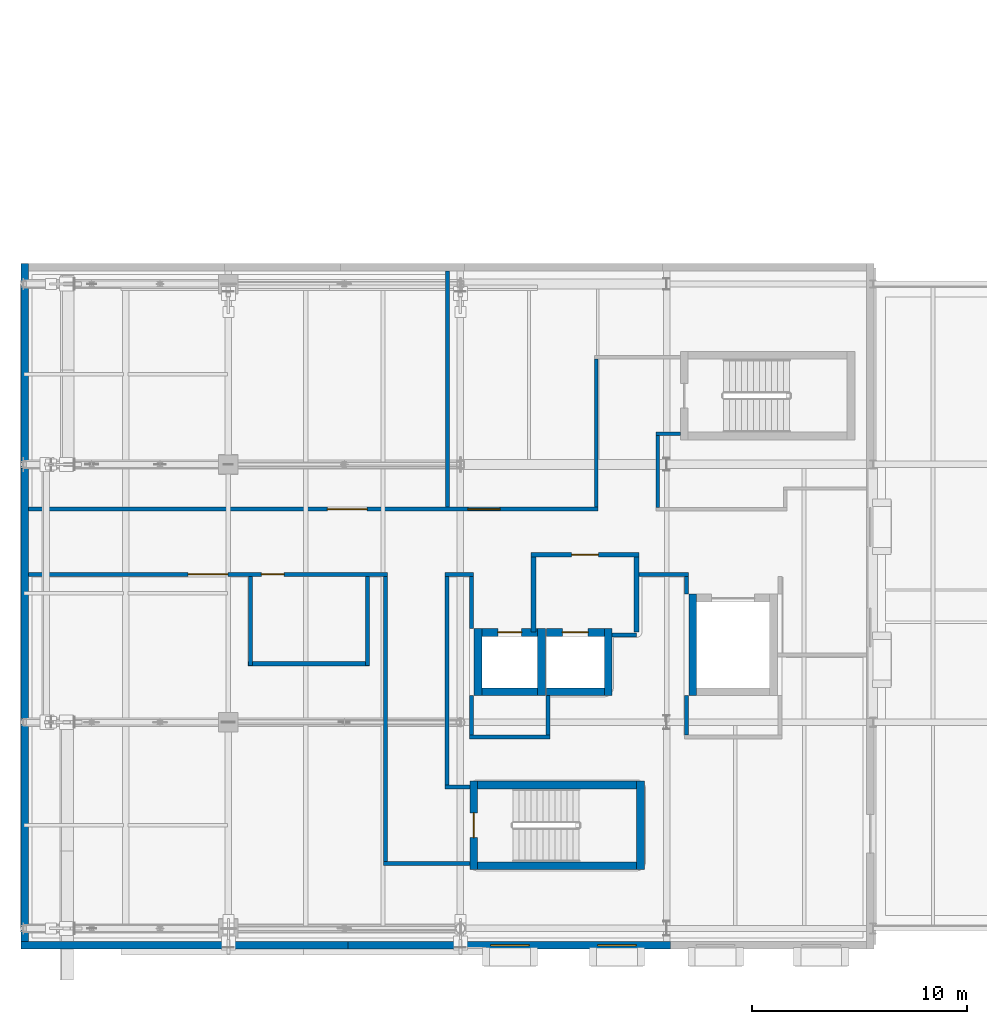
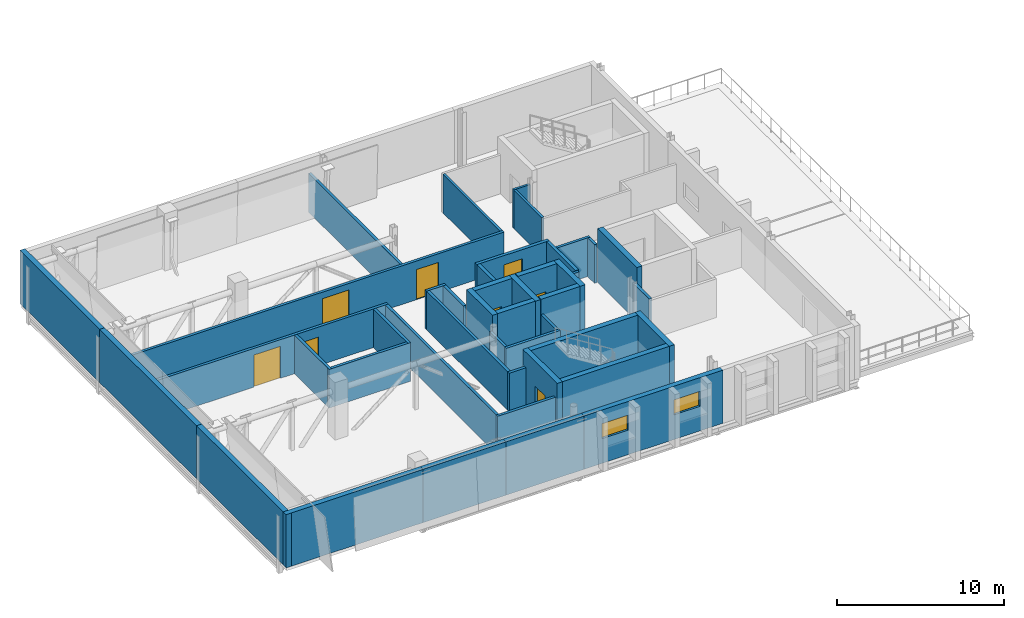
# One storey, part 78 of 89: 44 walls, 8 doors, 2 windows, 10 openings.
"""IFC4 building model written with IfcOpenShell, lengths in metres."""

from ifc_helpers import new_model, si_unit, direction, frame, frame_2d, origin, place, context, subcontext, project, spatial, rectangle, extrude, material, layer, layer_set, type_object, element, fill, save


model = new_model("IFC4")

# Units and contexts
model_context = context("Model", 3, precision=1e-05, world=origin(), true_north=direction((0.0, 1.0)))
body_context = subcontext(model_context, "Body", "Model", "MODEL_VIEW")
ifc_project = project(units=[si_unit("LENGTHUNIT", "METRE"), si_unit("AREAUNIT", "SQUARE_METRE"), si_unit("VOLUMEUNIT", "CUBIC_METRE"), si_unit("PLANEANGLEUNIT", "RADIAN"), si_unit("MASSUNIT", "GRAM", prefix="KILO")], contexts=[model_context])

# Site, building, storey
site_placement = place(None, origin())
site = spatial("IfcSite", under=ifc_project, at=site_placement, CompositionType="ELEMENT")
building_placement = place(site_placement, origin())
building = spatial("IfcBuilding", under=site, at=building_placement, Name="Zereglee Splitstone Museum", CompositionType="ELEMENT")
storey_placement = place(building_placement, frame((0.0, 0.0, 21.300048828125)))
storey = spatial("IfcBuildingStorey", under=building, at=storey_placement, Name="L04", CompositionType="ELEMENT", Elevation=21.300048828125)

# Wall, opening, door
ifc_material_1 = material(Name="Concrete C45/55", Category="concrete")
ifc_layer_1 = layer(ifc_material_1, 0.360107421875)
ifc_layer_set_1 = layer_set([ifc_layer_1], Name="Concrete C45/55")
wall_type_1 = type_object("IfcWallType", Name="CSW-02", PredefinedType="SHEAR", material=ifc_layer_set_1)
wall_1_placement = place(storey_placement, frame((21.02001953125, 2.739990234375, 0.0), z_axis=(0.0, 0.0, 1.0), x_axis=(0.0, 1.0, 0.0)))
wall_1 = element("IfcWall", 1, at=wall_1_placement, inside=storey, type_object=wall_type_1, Name="Stair Core Shear Wall ST-01 L04 West", PredefinedType="SHEAR", context=body_context, shape_type="SweptSolid", body=[
    extrude(rectangle(XDim=4.1201171875, YDim=0.360107421875, at=frame_2d((2.06005859375, 0.0))), origin(), (0.0, 0.0, 1.0), 3.949951171875),
])
opening_1_placement = place(wall_1_placement, frame((1.485107421875, 0.0, 0.0)))
opening_1 = element("IfcOpeningElement", 2, at=opening_1_placement, cuts=wall_1, Name="Opening ID-03", PredefinedType="OPENING", context=body_context, shape_type="SweptSolid", body=[
    extrude(rectangle(XDim=1.14990234375, YDim=2.14990234375, at=frame_2d((0.574951171875, 1.074951171875))), frame((0.0, 0.19482421875, 0.0), z_axis=(0.0, -1.0, 0.0), x_axis=(1.0, 0.0, 0.0)), (0.0, 0.0, 1.0), 0.389892578125),
])
ifc_material_2 = material(Name="Fire-rated steel and Siberian larch leaf", Category="steel")
door_type_1 = type_object("IfcDoorType", Name="ID-03", OperationType="NOTDEFINED", PredefinedType="DOOR", material=ifc_material_2)
door_1_placement = place(opening_1_placement, origin())
door_1 = element("IfcDoor", 3, at=door_1_placement, inside=storey, type_object=door_type_1, Name="Protected Stair Fire Door ST-01 L04", OperationType="SINGLE_SWING_RIGHT", OverallHeight=2.14990234375, OverallWidth=1.14990234375, PredefinedType="DOOR", context=body_context, shape_type="SweptSolid", body=[
    extrude(rectangle(XDim=1.14990234375, YDim=2.14990234375, at=frame_2d((0.574951171875, 1.074951171875))), frame((0.0, 0.02490234375, 0.0), z_axis=(0.0, -1.0, 0.0), x_axis=(1.0, 0.0, 0.0)), (0.0, 0.0, 1.0), 0.050048828125),
])
fill(opening_1, door_1)

# Walls
wall_2_placement = place(storey_placement, frame((28.780029296875, 2.739990234375, 0.0), z_axis=(0.0, 0.0, 1.0), x_axis=(0.0, 1.0, 0.0)))
element("IfcWall", 4, at=wall_2_placement, inside=storey, type_object=wall_type_1, Name="Stair Core Shear Wall ST-01 L04 East", PredefinedType="SHEAR", context=body_context, shape_type="SweptSolid", body=[
    extrude(rectangle(XDim=4.1201171875, YDim=0.360107421875, at=frame_2d((2.06005859375, 0.0))), origin(), (0.0, 0.0, 1.0), 3.949951171875),
])
for number, where, z_axis, x_axis, name in (
    (5, (21.199951171875, 6.679931640625, 0.0), (0.0, 0.0, 1.0), (1.0, 0.0, 0.0), "Stair Core Shear Wall ST-01 L04 North"),
    (6, (21.199951171875, 2.919921875, 0.0), (0.0, 0.0, 1.0), (1.0, 0.0, 0.0), "Stair Core Shear Wall ST-01 L04 South"),
):
    element("IfcWall", number, at=place(storey_placement, frame(where, z_axis=z_axis, x_axis=x_axis)), inside=storey, type_object=wall_type_1, Name=name, PredefinedType="SHEAR", context=body_context, shape_type="SweptSolid", body=[
        extrude(rectangle(XDim=7.400146484375, YDim=0.360107421875, at=frame_2d((3.7001953125, 0.0))), origin(), (0.0, 0.0, 1.0), 3.949951171875),
    ])

# Wall, opening, door
wall_3_placement = place(storey_placement, frame((21.39990234375, 13.780029296875, 0.0), z_axis=(0.0, 0.0, 1.0), x_axis=(1.0, 0.0, 0.0)))
wall_3 = element("IfcWall", 7, at=wall_3_placement, inside=storey, type_object=wall_type_1, Name="Lift Shaft Wall PL-01 L04 North", PredefinedType="SHEAR", context=body_context, shape_type="SweptSolid", body=[
    extrude(rectangle(XDim=2.60009765625, YDim=0.360107421875, at=frame_2d((1.300048828125, 0.0))), origin(), (0.0, 0.0, 1.0), 3.949951171875),
])
opening_2_placement = place(wall_3_placement, frame((0.75, 0.0, 0.0)))
opening_2 = element("IfcOpeningElement", 8, at=opening_2_placement, cuts=wall_3, Name="Opening LD-01", PredefinedType="OPENING", context=body_context, shape_type="SweptSolid", body=[
    extrude(rectangle(XDim=1.10009765625, YDim=2.14990234375, at=frame_2d((0.550048828125, 1.074951171875))), frame((0.0, 0.19482421875, 0.0), z_axis=(0.0, -1.0, 0.0), x_axis=(1.0, 0.0, 0.0)), (0.0, 0.0, 1.0), 0.389892578125),
])
door_type_2 = type_object("IfcDoorType", Name="LD-01", OperationType="DOUBLE_DOOR_SLIDING", PredefinedType="DOOR", material=ifc_material_2)
door_2_placement = place(opening_2_placement, origin())
door_2 = element("IfcDoor", 9, at=door_2_placement, inside=storey, type_object=door_type_2, Name="Lift Landing Sliding Door PL-01 L04", OperationType="DOUBLE_DOOR_SLIDING", OverallHeight=2.14990234375, OverallWidth=1.10009765625, PredefinedType="DOOR", context=body_context, shape_type="SweptSolid", body=[
    extrude(rectangle(XDim=1.10009765625, YDim=2.14990234375, at=frame_2d((0.550048828125, 1.074951171875))), frame((0.0, 0.02490234375, 0.0), z_axis=(0.0, -1.0, 0.0), x_axis=(1.0, 0.0, 0.0)), (0.0, 0.0, 1.0), 0.050048828125),
])
fill(opening_2, door_2)

# Walls
wall_4_placement = place(storey_placement, frame((21.39990234375, 11.02001953125, 0.0), z_axis=(0.0, 0.0, 1.0), x_axis=(1.0, 0.0, 0.0)))
element("IfcWall", 10, at=wall_4_placement, inside=storey, type_object=wall_type_1, Name="Lift Shaft Wall PL-01 L04 South", PredefinedType="SHEAR", context=body_context, shape_type="SweptSolid", body=[
    extrude(rectangle(XDim=2.60009765625, YDim=0.360107421875, at=frame_2d((1.300048828125, 0.0))), origin(), (0.0, 0.0, 1.0), 3.949951171875),
])
for number, where, z_axis, x_axis, name in (
    (11, (21.219970703125, 10.840087890625, 0.0), (0.0, 0.0, 1.0), (0.0, 1.0, 0.0), "Lift Shaft Wall PL-01 L04 West"),
    (12, (24.179931640625, 10.840087890625, 0.0), (0.0, 0.0, 1.0), (0.0, 1.0, 0.0), "Lift Shaft Wall PL-01 L04 East"),
):
    element("IfcWall", number, at=place(storey_placement, frame(where, z_axis=z_axis, x_axis=x_axis)), inside=storey, type_object=wall_type_1, Name=name, PredefinedType="SHEAR", context=body_context, shape_type="SweptSolid", body=[
        extrude(rectangle(XDim=3.119873046875, YDim=0.360107421875, at=frame_2d((1.56005859375, 0.0))), origin(), (0.0, 0.0, 1.0), 3.949951171875),
    ])

# Wall, opening, door
wall_5_placement = place(storey_placement, frame((24.39990234375, 13.780029296875, 0.0), z_axis=(0.0, 0.0, 1.0), x_axis=(1.0, 0.0, 0.0)))
wall_5 = element("IfcWall", 13, at=wall_5_placement, inside=storey, type_object=wall_type_1, Name="Lift Shaft Wall FL-01 L04 North", PredefinedType="SHEAR", context=body_context, shape_type="SweptSolid", body=[
    extrude(rectangle(XDim=2.7001953125, YDim=0.360107421875, at=frame_2d((1.35009765625, 0.0))), origin(), (0.0, 0.0, 1.0), 3.949951171875),
])
opening_3_placement = place(wall_5_placement, frame((0.75, 0.0, 0.0)))
opening_3 = element("IfcOpeningElement", 14, at=opening_3_placement, cuts=wall_5, Name="Opening LD-02", PredefinedType="OPENING", context=body_context, shape_type="SweptSolid", body=[
    extrude(rectangle(XDim=1.199951171875, YDim=2.14990234375, at=frame_2d((0.60009765625, 1.074951171875))), frame((0.0, 0.19482421875, 0.0), z_axis=(0.0, -1.0, 0.0), x_axis=(1.0, 0.0, 0.0)), (0.0, 0.0, 1.0), 0.389892578125),
])
door_type_3 = type_object("IfcDoorType", Name="LD-02", OperationType="DOUBLE_DOOR_SLIDING", PredefinedType="DOOR", material=ifc_material_2)
door_3_placement = place(opening_3_placement, origin())
door_3 = element("IfcDoor", 15, at=door_3_placement, inside=storey, type_object=door_type_3, Name="Lift Landing Sliding Door FL-01 L04", OperationType="DOUBLE_DOOR_SLIDING", OverallHeight=2.14990234375, OverallWidth=1.199951171875, PredefinedType="DOOR", context=body_context, shape_type="SweptSolid", body=[
    extrude(rectangle(XDim=1.199951171875, YDim=2.14990234375, at=frame_2d((0.60009765625, 1.074951171875))), frame((0.0, 0.02490234375, 0.0), z_axis=(0.0, -1.0, 0.0), x_axis=(1.0, 0.0, 0.0)), (0.0, 0.0, 1.0), 0.050048828125),
])
fill(opening_3, door_3)

# Walls
wall_6_placement = place(storey_placement, frame((24.39990234375, 11.02001953125, 0.0), z_axis=(0.0, 0.0, 1.0), x_axis=(1.0, 0.0, 0.0)))
element("IfcWall", 16, at=wall_6_placement, inside=storey, type_object=wall_type_1, Name="Lift Shaft Wall FL-01 L04 South", PredefinedType="SHEAR", context=body_context, shape_type="SweptSolid", body=[
    extrude(rectangle(XDim=2.7001953125, YDim=0.360107421875, at=frame_2d((1.35009765625, 0.0))), origin(), (0.0, 0.0, 1.0), 3.949951171875),
])
wall_7_placement = place(storey_placement, frame((27.280029296875, 10.840087890625, 0.0), z_axis=(0.0, 0.0, 1.0), x_axis=(0.0, 1.0, 0.0)))
element("IfcWall", 17, at=wall_7_placement, inside=storey, type_object=wall_type_1, Name="Lift Shaft Wall FL-01 L04 East", PredefinedType="SHEAR", context=body_context, shape_type="SweptSolid", body=[
    extrude(rectangle(XDim=3.119873046875, YDim=0.360107421875, at=frame_2d((1.56005859375, 0.0))), origin(), (0.0, 0.0, 1.0), 3.949951171875),
])
wall_8_placement = place(storey_placement, frame((31.219970703125, 10.840087890625, 0.0), z_axis=(0.0, 0.0, 1.0), x_axis=(0.0, 1.0, 0.0)))
element("IfcWall", 18, at=wall_8_placement, inside=storey, type_object=wall_type_1, Name="Lift Shaft Wall GL-02 L04 West", PredefinedType="SHEAR", context=body_context, shape_type="SweptSolid", body=[
    extrude(rectangle(XDim=4.719970703125, YDim=0.360107421875, at=frame_2d((2.35986328125, 0.0))), origin(), (0.0, 0.0, 1.0), 3.949951171875),
])
ifc_material_3 = material(Name="Precast concrete C40/50", Category="concrete")
ifc_layer_2 = layer(ifc_material_3, 0.35009765625)
ifc_layer_set_2 = layer_set([ifc_layer_2], Name="Precast concrete C40/50")
wall_type_2 = type_object("IfcWallType", Name="EW-01", PredefinedType="STANDARD", material=ifc_layer_set_2)
wall_9_placement = place(storey_placement, frame((-0.06005859375, -0.780029296875, 0.0), z_axis=(0.0, 0.0, 1.0), x_axis=(1.0, 0.0, 0.0)))
element("IfcWall", 19, at=wall_9_placement, inside=storey, type_object=wall_type_2, Name="Exterior Backup Wall RC4-EW-L04-0206", PredefinedType="STANDARD", context=body_context, shape_type="SweptSolid", body=[
    extrude(rectangle(XDim=9.840087890625, YDim=0.35009765625, at=frame_2d((4.919921875, 0.0))), origin(), (0.0, 0.0, 1.0), 3.89990234375),
])
for number, where, z_axis, x_axis, name in (
    (20, (9.419921875, -0.780029296875, 0.0), (0.0, 0.0, 1.0), (1.0, 0.0, 0.0), "Exterior Backup Wall RC4-EW-L04-0207"),
    (21, (14.820068359375, -0.780029296875, 0.0), (0.0, 0.0, 1.0), (1.0, 0.0, 0.0), "Exterior Backup Wall RC4-EW-L04-0208"),
):
    element("IfcWall", number, at=place(storey_placement, frame(where, z_axis=z_axis, x_axis=x_axis)), inside=storey, type_object=wall_type_2, Name=name, PredefinedType="STANDARD", context=body_context, shape_type="SweptSolid", body=[
        extrude(rectangle(XDim=5.760009765625, YDim=0.35009765625, at=frame_2d((2.8798828125, 0.0))), origin(), (0.0, 0.0, 1.0), 3.89990234375),
    ])

# Wall, openings, windows
wall_10_placement = place(storey_placement, frame((20.219970703125, -0.780029296875, 0.0), z_axis=(0.0, 0.0, 1.0), x_axis=(1.0, 0.0, 0.0)))
wall_10 = element("IfcWall", 22, at=wall_10_placement, inside=storey, type_object=wall_type_2, Name="Exterior Backup Wall RC4-EW-L04-0209", PredefinedType="STANDARD", context=body_context, shape_type="SweptSolid", body=[
    extrude(rectangle(XDim=9.9599609375, YDim=0.35009765625, at=frame_2d((4.97998046875, 0.0))), origin(), (0.0, 0.0, 1.0), 3.89990234375),
])
opening_4_placement = place(wall_10_placement, frame((1.590087890625, 0.0, 1.800048828125)))
opening_4 = element("IfcOpeningElement", 23, at=opening_4_placement, cuts=wall_10, Name="Opening EW-W12", PredefinedType="OPENING", context=body_context, shape_type="SweptSolid", body=[
    extrude(rectangle(XDim=1.800048828125, YDim=1.10009765625, at=frame_2d((0.89990234375, 0.550048828125))), frame((0.0, 0.18994140625, 0.0), z_axis=(0.0, -1.0, 0.0), x_axis=(1.0, 0.0, 0.0)), (0.0, 0.0, 1.0), 0.3798828125),
])
opening_5_placement = place(wall_10_placement, frame((6.570068359375, 0.0, 1.800048828125)))
opening_5 = element("IfcOpeningElement", 24, at=opening_5_placement, cuts=wall_10, Name="Opening EW-W12", PredefinedType="OPENING", context=body_context, shape_type="SweptSolid", body=[
    extrude(rectangle(XDim=1.800048828125, YDim=1.10009765625, at=frame_2d((0.89990234375, 0.550048828125))), frame((0.0, 0.18994140625, 0.0), z_axis=(0.0, -1.0, 0.0), x_axis=(1.0, 0.0, 0.0)), (0.0, 0.0, 1.0), 0.3798828125),
])
ifc_material_4 = material(Name="Thermally broken aluminium frame with triple low-e glazing", Category="aluminium")
window_type = type_object("IfcWindowType", Name="EW-W12", PartitioningType="DOUBLE_PANEL_HORIZONTAL", PredefinedType="WINDOW", material=ifc_material_4)
window_1_placement = place(opening_4_placement, origin())
window_1 = element("IfcWindow", 25, at=window_1_placement, inside=storey, type_object=window_type, Name="Mughal Deep-Reveal Gallery Window L04-0136", OverallHeight=1.10009765625, OverallWidth=1.800048828125, PartitioningType="SINGLE_PANEL", PredefinedType="WINDOW", context=body_context, shape_type="SweptSolid", body=[
    extrude(rectangle(XDim=1.800048828125, YDim=1.10009765625, at=frame_2d((0.89990234375, 0.550048828125))), frame((0.0, 0.030029296875, 0.0), z_axis=(0.0, -1.0, 0.0), x_axis=(1.0, 0.0, 0.0)), (0.0, 0.0, 1.0), 0.06005859375),
])
fill(opening_4, window_1)
window_2_placement = place(opening_5_placement, origin())
window_2 = element("IfcWindow", 26, at=window_2_placement, inside=storey, type_object=window_type, Name="Mughal Deep-Reveal Gallery Window L04-0137", OverallHeight=1.10009765625, OverallWidth=1.800048828125, PartitioningType="SINGLE_PANEL", PredefinedType="WINDOW", context=body_context, shape_type="SweptSolid", body=[
    extrude(rectangle(XDim=1.800048828125, YDim=1.10009765625, at=frame_2d((0.89990234375, 0.550048828125))), frame((0.0, 0.030029296875, 0.0), z_axis=(0.0, -1.0, 0.0), x_axis=(1.0, 0.0, 0.0)), (0.0, 0.0, 1.0), 0.06005859375),
])
fill(opening_5, window_2)

# Walls
wall_11_placement = place(storey_placement, frame((0.1201171875, 30.9599609375, 0.0), z_axis=(0.0, 0.0, 1.0), x_axis=(0.0, -1.0, 0.0)))
element("IfcWall", 27, at=wall_11_placement, inside=storey, type_object=wall_type_2, Name="Exterior Backup Wall RC4-EW-L04-0219", PredefinedType="STANDARD", context=body_context, shape_type="SweptSolid", body=[
    extrude(rectangle(XDim=9.5400390625, YDim=0.35009765625, at=frame_2d((4.77001953125, 0.0))), origin(), (0.0, 0.0, 1.0), 3.89990234375),
])
wall_12_placement = place(storey_placement, frame((0.1201171875, 21.780029296875, 0.0), z_axis=(0.0, 0.0, 1.0), x_axis=(0.0, -1.0, 0.0)))
element("IfcWall", 28, at=wall_12_placement, inside=storey, type_object=wall_type_2, Name="Exterior Backup Wall RC4-EW-L04-0220", PredefinedType="STANDARD", context=body_context, shape_type="SweptSolid", body=[
    extrude(rectangle(XDim=12.360107421875, YDim=0.35009765625, at=frame_2d((6.18017578125, 0.0))), origin(), (0.0, 0.0, 1.0), 3.89990234375),
])
wall_13_placement = place(storey_placement, frame((0.1201171875, 9.780029296875, 0.0), z_axis=(0.0, 0.0, 1.0), x_axis=(0.0, -1.0, 0.0)))
element("IfcWall", 29, at=wall_13_placement, inside=storey, type_object=wall_type_2, Name="Exterior Backup Wall RC4-EW-L04-0221", PredefinedType="STANDARD", context=body_context, shape_type="SweptSolid", body=[
    extrude(rectangle(XDim=10.739990234375, YDim=0.35009765625, at=frame_2d((5.3701171875, 0.0))), origin(), (0.0, 0.0, 1.0), 3.89990234375),
])
ifc_material_5 = material(Name="Fire-rated gypsum board partition", Category="masonry")
ifc_layer_3 = layer(ifc_material_5, 0.159912109375)
ifc_layer_set_3 = layer_set([ifc_layer_3], Name="Fire-rated gypsum board partition")
wall_type_3 = type_object("IfcWallType", Name="IW-04", PredefinedType="PARTITIONING", material=ifc_layer_set_3)
wall_14_placement = place(storey_placement, frame((29.5, 23.02001953125, 0.0), z_axis=(0.0, 0.0, 1.0), x_axis=(1.0, 0.0, 0.0)))
element("IfcWall", 30, at=wall_14_placement, inside=storey, type_object=wall_type_3, Name="Interior Partition L04-0650 (Conservation Photography Studio)", PredefinedType="PARTITIONING", context=body_context, shape_type="SweptSolid", body=[
    extrude(rectangle(XDim=1.139892578125, YDim=0.159912109375, at=frame_2d((0.56982421875, 0.0))), origin(), (0.0, 0.0, 1.0), 2.829833984375),
])
wall_15_placement = place(storey_placement, frame((26.719970703125, 19.614990234375, 0.0), z_axis=(0.0, 0.0, 1.0), x_axis=(0.0, 1.0, 0.0)))
element("IfcWall", 31, at=wall_15_placement, inside=storey, type_object=wall_type_3, Name="Interior Partition L04-0665 (Conservation Photography Studio)", PredefinedType="PARTITIONING", context=body_context, shape_type="SweptSolid", body=[
    extrude(rectangle(XDim=6.885009765625, YDim=0.159912109375, at=frame_2d((3.4423828125, 0.0))), origin(), (0.0, 0.0, 1.0), 2.829833984375),
])
wall_16_placement = place(storey_placement, frame((29.580078125, 19.60009765625, 0.0), z_axis=(0.0, 0.0, 1.0), x_axis=(0.0, 1.0, 0.0)))
element("IfcWall", 32, at=wall_16_placement, inside=storey, type_object=wall_type_3, Name="Interior Partition L04-0666 (Conservation Photography Studio)", PredefinedType="PARTITIONING", context=body_context, shape_type="SweptSolid", body=[
    extrude(rectangle(XDim=3.33984375, YDim=0.159912109375, at=frame_2d((1.669921875, 0.0))), origin(), (0.0, 0.0, 1.0), 2.829833984375),
])

# Wall, opening, door
ifc_material_6 = material(Name="Concrete C35/45", Category="concrete")
ifc_layer_4 = layer(ifc_material_6, 0.219970703125)
ifc_layer_set_4 = layer_set([ifc_layer_4], Name="Concrete C35/45")
wall_type_4 = type_object("IfcWallType", Name="IW-01", PredefinedType="PARTITIONING", material=ifc_layer_set_4)
wall_17_placement = place(storey_placement, frame((23.68994140625, 17.39990234375, 0.0), z_axis=(0.0, 0.0, 1.0), x_axis=(1.0, 0.0, 0.0)))
wall_17 = element("IfcWall", 33, at=wall_17_placement, inside=storey, type_object=wall_type_4, Name="Firefighting Lobby Wall L04 North", PredefinedType="PARTITIONING", context=body_context, shape_type="SweptSolid", body=[
    extrude(rectangle(XDim=5.02001953125, YDim=0.219970703125, at=frame_2d((2.510009765625, 0.0))), origin(), (0.0, 0.0, 1.0), 2.829833984375),
])
opening_6_placement = place(wall_17_placement, frame((1.885009765625, 0.0, 0.0)))
opening_6 = element("IfcOpeningElement", 34, at=opening_6_placement, cuts=wall_17, Name="Opening ID-04", PredefinedType="OPENING", context=body_context, shape_type="SweptSolid", body=[
    extrude(rectangle(XDim=1.25, YDim=2.14990234375, at=frame_2d((0.625, 1.074951171875))), frame((0.0, 0.125, 0.0), z_axis=(0.0, -1.0, 0.0), x_axis=(1.0, 0.0, 0.0)), (0.0, 0.0, 1.0), 0.249755859375),
])
door_type_4 = type_object("IfcDoorType", Name="ID-04", OperationType="NOTDEFINED", PredefinedType="DOOR", material=ifc_material_2)
door_4_placement = place(opening_6_placement, origin())
door_4 = element("IfcDoor", 35, at=door_4_placement, inside=storey, type_object=door_type_4, Name="Firefighting Lobby Fire Door L04", OperationType="SINGLE_SWING_LEFT", OverallHeight=2.14990234375, OverallWidth=1.25, PredefinedType="DOOR", context=body_context, shape_type="SweptSolid", body=[
    extrude(rectangle(XDim=1.25, YDim=2.14990234375, at=frame_2d((0.625, 1.074951171875))), frame((0.0, 0.02490234375, 0.0), z_axis=(0.0, -1.0, 0.0), x_axis=(1.0, 0.0, 0.0)), (0.0, 0.0, 1.0), 0.050048828125),
])
fill(opening_6, door_4)

# Walls
for number, where, z_axis, x_axis, name in (
    (36, (23.800048828125, 13.800048828125, 0.0), (0.0, 0.0, 1.0), (0.0, 1.0, 0.0), "Firefighting Lobby Wall L04 West"),
    (37, (28.60009765625, 13.800048828125, 0.0), (0.0, 0.0, 1.0), (0.0, 1.0, 0.0), "Firefighting Lobby Wall L04 East"),
):
    element("IfcWall", number, at=place(storey_placement, frame(where, z_axis=z_axis, x_axis=x_axis)), inside=storey, type_object=wall_type_4, Name=name, PredefinedType="PARTITIONING", context=body_context, shape_type="SweptSolid", body=[
        extrude(rectangle(XDim=3.489990234375, YDim=0.219970703125, at=frame_2d((1.7451171875, 0.0))), origin(), (0.0, 0.0, 1.0), 2.829833984375),
    ])
ifc_material_7 = material(Name="Gypsum board on acoustic steel stud", Category="steel")
ifc_layer_5 = layer(ifc_material_7, 0.18994140625)
ifc_layer_set_5 = layer_set([ifc_layer_5], Name="Gypsum board on acoustic steel stud")
wall_type_5 = type_object("IfcWallType", Name="IW-02", PredefinedType="PARTITIONING", material=ifc_layer_set_5)
wall_18_placement = place(storey_placement, frame((16.824951171875, 3.02001953125, 0.0), z_axis=(0.0, 0.0, 1.0), x_axis=(1.0, 0.0, 0.0)))
element("IfcWall", 38, at=wall_18_placement, inside=storey, type_object=wall_type_5, Name="Interior Partition L04-0629 (Silk Road Textile Exhibition Gallery)", PredefinedType="PARTITIONING", context=body_context, shape_type="SweptSolid", body=[
    extrude(rectangle(XDim=4.01513671875, YDim=0.18994140625, at=frame_2d((2.007568359375, 0.0))), origin(), (0.0, 0.0, 1.0), 2.829833984375),
])
wall_19_placement = place(storey_placement, frame((19.68505859375, 6.580078125, 0.0), z_axis=(0.0, 0.0, 1.0), x_axis=(1.0, 0.0, 0.0)))
element("IfcWall", 39, at=wall_19_placement, inside=storey, type_object=wall_type_5, Name="Interior Partition L04-0630 (Silk Road Textile Exhibition Gallery)", PredefinedType="PARTITIONING", context=body_context, shape_type="SweptSolid", body=[
    extrude(rectangle(XDim=1.155029296875, YDim=0.18994140625, at=frame_2d((0.57763671875, 0.0))), origin(), (0.0, 0.0, 1.0), 2.829833984375),
])
wall_20_placement = place(storey_placement, frame((20.824951171875, 8.919921875, 0.0), z_axis=(0.0, 0.0, 1.0), x_axis=(1.0, 0.0, 0.0)))
element("IfcWall", 40, at=wall_20_placement, inside=storey, type_object=wall_type_5, Name="Interior Partition L04-0631 (Silk Road Textile Exhibition Gallery)", PredefinedType="PARTITIONING", context=body_context, shape_type="SweptSolid", body=[
    extrude(rectangle(XDim=3.75, YDim=0.18994140625, at=frame_2d((1.875, 0.0))), origin(), (0.0, 0.0, 1.0), 2.829833984375),
])
wall_21_placement = place(storey_placement, frame((10.52490234375, 12.320068359375, 0.0), z_axis=(0.0, 0.0, 1.0), x_axis=(1.0, 0.0, 0.0)))
element("IfcWall", 41, at=wall_21_placement, inside=storey, type_object=wall_type_5, Name="Interior Partition L04-0634 (Public Washroom)", PredefinedType="PARTITIONING", context=body_context, shape_type="SweptSolid", body=[
    extrude(rectangle(XDim=5.650146484375, YDim=0.18994140625, at=frame_2d((2.8251953125, 0.0))), origin(), (0.0, 0.0, 1.0), 2.829833984375),
])
wall_22_placement = place(storey_placement, frame((27.4599609375, 13.659912109375, 0.0), z_axis=(0.0, 0.0, 1.0), x_axis=(1.0, 0.0, 0.0)))
element("IfcWall", 42, at=wall_22_placement, inside=storey, type_object=wall_type_5, Name="Interior Partition L04-0637 (Silk Road Textile Exhibition Gallery)", PredefinedType="PARTITIONING", context=body_context, shape_type="SweptSolid", body=[
    extrude(rectangle(XDim=1.14013671875, YDim=0.18994140625, at=frame_2d((0.570068359375, 0.0))), origin(), (0.0, 0.0, 1.0), 2.829833984375),
])

# Wall, openings, doors
wall_23_placement = place(storey_placement, frame((0.294921875, 16.47998046875, 0.0), z_axis=(0.0, 0.0, 1.0), x_axis=(1.0, 0.0, 0.0)))
wall_23 = element("IfcWall", 43, at=wall_23_placement, inside=storey, type_object=wall_type_5, Name="Interior Partition L04-0639 (Public Washroom)", PredefinedType="PARTITIONING", context=body_context, shape_type="SweptSolid", body=[
    extrude(rectangle(XDim=16.719970703125, YDim=0.18994140625, at=frame_2d((8.35986328125, 0.0))), origin(), (0.0, 0.0, 1.0), 2.829833984375),
])
opening_7_placement = place(wall_23_placement, frame((10.844482421875, 0.0, 0.0)))
opening_7 = element("IfcOpeningElement", 44, at=opening_7_placement, cuts=wall_23, Name="Opening ID-12", PredefinedType="OPENING", context=body_context, shape_type="SweptSolid", body=[
    extrude(rectangle(XDim=1.050048828125, YDim=2.10009765625, at=frame_2d((0.52490234375, 1.050048828125))), frame((0.0, 0.10986328125, 0.0), z_axis=(0.0, -1.0, 0.0), x_axis=(1.0, 0.0, 0.0)), (0.0, 0.0, 1.0), 0.2197265625),
])
opening_8_placement = place(wall_23_placement, frame((7.43505859375, 0.0, 0.0)))
opening_8 = element("IfcOpeningElement", 45, at=opening_8_placement, cuts=wall_23, Name="Opening ID-02", PredefinedType="OPENING", context=body_context, shape_type="SweptSolid", body=[
    extrude(rectangle(XDim=1.85009765625, YDim=2.35009765625, at=frame_2d((0.925048828125, 1.175048828125))), frame((0.0, 0.10986328125, 0.0), z_axis=(0.0, -1.0, 0.0), x_axis=(1.0, 0.0, 0.0)), (0.0, 0.0, 1.0), 0.2197265625),
])
ifc_material_8 = material(Name="Siberian larch acoustic timber leaf in bronze-steel frame", Category="steel")
door_type_5 = type_object("IfcDoorType", Name="ID-12", OperationType="NOTDEFINED", PredefinedType="DOOR", material=ifc_material_8)
door_5_placement = place(opening_7_placement, frame((1.050048828125, 0.0, 0.0), z_axis=(0.0, 0.0, 1.0), x_axis=(-1.0, 0.0, 0.0)))
door_5 = element("IfcDoor", 46, at=door_5_placement, inside=storey, type_object=door_type_5, Name="Interior Door L04-0107 (Public Washroom)", OperationType="SINGLE_SWING_RIGHT", OverallHeight=2.10009765625, OverallWidth=1.050048828125, PredefinedType="DOOR", context=body_context, shape_type="SweptSolid", body=[
    extrude(rectangle(XDim=1.050048828125, YDim=2.10009765625, at=frame_2d((0.52490234375, 1.050048828125))), frame((0.0, 0.02490234375, 0.0), z_axis=(0.0, -1.0, 0.0), x_axis=(1.0, 0.0, 0.0)), (0.0, 0.0, 1.0), 0.050048828125),
])
fill(opening_7, door_5)
door_type_6 = type_object("IfcDoorType", Name="ID-02", OperationType="NOTDEFINED", PredefinedType="DOOR", material=ifc_material_2)
door_6_placement = place(opening_8_placement, frame((1.85009765625, 0.0, 0.0), z_axis=(0.0, 0.0, 1.0), x_axis=(-1.0, 0.0, 0.0)))
door_6 = element("IfcDoor", 47, at=door_6_placement, inside=storey, type_object=door_type_6, Name="Interior Door L04-0108 (Silk Road Textile Exhibition Gallery)", OperationType="DOUBLE_DOOR_SINGLE_SWING", OverallHeight=2.35009765625, OverallWidth=1.85009765625, PredefinedType="DOOR", context=body_context, shape_type="SweptSolid", body=[
    extrude(rectangle(XDim=1.85009765625, YDim=2.35009765625, at=frame_2d((0.925048828125, 1.175048828125))), frame((0.0, 0.02490234375, 0.0), z_axis=(0.0, -1.0, 0.0), x_axis=(1.0, 0.0, 0.0)), (0.0, 0.0, 1.0), 0.050048828125),
])
fill(opening_8, door_6)

# Walls
wall_24_placement = place(storey_placement, frame((19.68505859375, 16.47998046875, 0.0), z_axis=(0.0, 0.0, 1.0), x_axis=(1.0, 0.0, 0.0)))
element("IfcWall", 48, at=wall_24_placement, inside=storey, type_object=wall_type_5, Name="Interior Partition L04-0640 (Silk Road Textile Exhibition Gallery)", PredefinedType="PARTITIONING", context=body_context, shape_type="SweptSolid", body=[
    extrude(rectangle(XDim=1.329833984375, YDim=0.18994140625, at=frame_2d((0.6650390625, 0.0))), origin(), (0.0, 0.0, 1.0), 2.829833984375),
])
wall_25_placement = place(storey_placement, frame((28.7099609375, 16.47998046875, 0.0), z_axis=(0.0, 0.0, 1.0), x_axis=(1.0, 0.0, 0.0)))
element("IfcWall", 49, at=wall_25_placement, inside=storey, type_object=wall_type_5, Name="Interior Partition L04-0641 (Silk Road Textile Exhibition Gallery)", PredefinedType="PARTITIONING", context=body_context, shape_type="SweptSolid", body=[
    extrude(rectangle(XDim=2.304931640625, YDim=0.18994140625, at=frame_2d((1.15234375, 0.0))), origin(), (0.0, 0.0, 1.0), 2.829833984375),
])

# Wall, openings, doors
wall_26_placement = place(storey_placement, frame((0.294921875, 19.52001953125, 0.0), z_axis=(0.0, 0.0, 1.0), x_axis=(1.0, 0.0, 0.0)))
wall_26 = element("IfcWall", 50, at=wall_26_placement, inside=storey, type_object=wall_type_5, Name="Interior Partition L04-0644 (Illuminated Manuscript Gallery)", PredefinedType="PARTITIONING", context=body_context, shape_type="SweptSolid", body=[
    extrude(rectangle(XDim=26.505126953125, YDim=0.18994140625, at=frame_2d((13.25244140625, 0.0))), origin(), (0.0, 0.0, 1.0), 2.829833984375),
])
opening_9_placement = place(wall_26_placement, frame((13.917724609375, 0.0, 0.0)))
opening_9 = element("IfcOpeningElement", 51, at=opening_9_placement, cuts=wall_26, Name="Opening ID-02", PredefinedType="OPENING", context=body_context, shape_type="SweptSolid", body=[
    extrude(rectangle(XDim=1.85009765625, YDim=2.35009765625, at=frame_2d((0.925048828125, 1.175048828125))), frame((0.0, 0.10986328125, 0.0), z_axis=(0.0, -1.0, 0.0), x_axis=(1.0, 0.0, 0.0)), (0.0, 0.0, 1.0), 0.2197265625),
])
opening_10_placement = place(wall_26_placement, frame((20.4541015625, 0.0, 0.0)))
opening_10 = element("IfcOpeningElement", 52, at=opening_10_placement, cuts=wall_26, Name="Opening ID-07", PredefinedType="OPENING", context=body_context, shape_type="SweptSolid", body=[
    extrude(rectangle(XDim=1.5, YDim=2.199951171875, at=frame_2d((0.75, 1.10009765625))), frame((0.0, 0.10986328125, 0.0), z_axis=(0.0, -1.0, 0.0), x_axis=(1.0, 0.0, 0.0)), (0.0, 0.0, 1.0), 0.2197265625),
])
door_7_placement = place(opening_9_placement, origin())
door_7 = element("IfcDoor", 53, at=door_7_placement, inside=storey, type_object=door_type_6, Name="Interior Door L04-0109 (Illuminated Manuscript Gallery)", OperationType="DOUBLE_DOOR_SINGLE_SWING", OverallHeight=2.35009765625, OverallWidth=1.85009765625, PredefinedType="DOOR", context=body_context, shape_type="SweptSolid", body=[
    extrude(rectangle(XDim=1.85009765625, YDim=2.35009765625, at=frame_2d((0.925048828125, 1.175048828125))), frame((0.0, 0.02490234375, 0.0), z_axis=(0.0, -1.0, 0.0), x_axis=(1.0, 0.0, 0.0)), (0.0, 0.0, 1.0), 0.050048828125),
])
fill(opening_9, door_7)
door_type_7 = type_object("IfcDoorType", Name="ID-07", OperationType="NOTDEFINED", PredefinedType="DOOR", material=ifc_material_2)
door_8_placement = place(opening_10_placement, origin())
door_8 = element("IfcDoor", 54, at=door_8_placement, inside=storey, type_object=door_type_7, Name="Interior Door L04-0110 (Conservation Photography Studio)", OperationType="DOUBLE_DOOR_SINGLE_SWING", OverallHeight=2.199951171875, OverallWidth=1.5, PredefinedType="DOOR", context=body_context, shape_type="SweptSolid", body=[
    extrude(rectangle(XDim=1.5, YDim=2.199951171875, at=frame_2d((0.75, 1.10009765625))), frame((0.0, 0.02490234375, 0.0), z_axis=(0.0, -1.0, 0.0), x_axis=(1.0, 0.0, 0.0)), (0.0, 0.0, 1.0), 0.050048828125),
])
fill(opening_10, door_8)

# Walls
for number, where, z_axis, x_axis, name in (
    (55, (10.6201171875, 12.22998046875, 0.0), (0.0, 0.0, 1.0), (0.0, 1.0, 0.0), "Interior Partition L04-0657 (Public Washroom)"),
    (56, (16.080078125, 12.22998046875, 0.0), (0.0, 0.0, 1.0), (0.0, 1.0, 0.0), "Interior Partition L04-0658 (Public Washroom)"),
):
    element("IfcWall", number, at=place(storey_placement, frame(where, z_axis=z_axis, x_axis=x_axis)), inside=storey, type_object=wall_type_5, Name=name, PredefinedType="PARTITIONING", context=body_context, shape_type="SweptSolid", body=[
        extrude(rectangle(XDim=4.155029296875, YDim=0.18994140625, at=frame_2d((2.07763671875, 0.0))), origin(), (0.0, 0.0, 1.0), 2.829833984375),
    ])
wall_27_placement = place(storey_placement, frame((16.919921875, 3.114990234375, 0.0), z_axis=(0.0, 0.0, 1.0), x_axis=(0.0, 1.0, 0.0)))
element("IfcWall", 57, at=wall_27_placement, inside=storey, type_object=wall_type_5, Name="Interior Partition L04-0659 (Silk Road Textile Exhibition Gallery)", PredefinedType="PARTITIONING", context=body_context, shape_type="SweptSolid", body=[
    extrude(rectangle(XDim=13.27001953125, YDim=0.18994140625, at=frame_2d((6.635009765625, 0.0))), origin(), (0.0, 0.0, 1.0), 2.829833984375),
])
wall_28_placement = place(storey_placement, frame((19.780029296875, 6.675048828125, 0.0), z_axis=(0.0, 0.0, 1.0), x_axis=(0.0, 1.0, 0.0)))
element("IfcWall", 58, at=wall_28_placement, inside=storey, type_object=wall_type_5, Name="Interior Partition L04-0660 (Silk Road Textile Exhibition Gallery)", PredefinedType="PARTITIONING", context=body_context, shape_type="SweptSolid", body=[
    extrude(rectangle(XDim=9.7099609375, YDim=0.18994140625, at=frame_2d((4.85498046875, 0.0))), origin(), (0.0, 0.0, 1.0), 2.829833984375),
])
wall_29_placement = place(storey_placement, frame((19.800048828125, 19.614990234375, 0.0), z_axis=(0.0, 0.0, 1.0), x_axis=(0.0, 1.0, 0.0)))
element("IfcWall", 59, at=wall_29_placement, inside=storey, type_object=wall_type_5, Name="Interior Partition L04-0661 (Illuminated Manuscript Gallery)", PredefinedType="PARTITIONING", context=body_context, shape_type="SweptSolid", body=[
    extrude(rectangle(XDim=10.989990234375, YDim=0.18994140625, at=frame_2d((5.4951171875, 0.0))), origin(), (0.0, 0.0, 1.0), 2.829833984375),
])
wall_30_placement = place(storey_placement, frame((20.919921875, 9.014892578125, 0.0), z_axis=(0.0, 0.0, 1.0), x_axis=(0.0, 1.0, 0.0)))
element("IfcWall", 60, at=wall_30_placement, inside=storey, type_object=wall_type_5, Name="Interior Partition L04-0662 (Silk Road Textile Exhibition Gallery)", PredefinedType="PARTITIONING", context=body_context, shape_type="SweptSolid", body=[
    extrude(rectangle(XDim=1.8251953125, YDim=0.18994140625, at=frame_2d((0.91259765625, 0.0))), origin(), (0.0, 0.0, 1.0), 2.829833984375),
])
wall_31_placement = place(storey_placement, frame((20.919921875, 13.9599609375, 0.0), z_axis=(0.0, 0.0, 1.0), x_axis=(0.0, 1.0, 0.0)))
element("IfcWall", 61, at=wall_31_placement, inside=storey, type_object=wall_type_5, Name="Interior Partition L04-0663 (Silk Road Textile Exhibition Gallery)", PredefinedType="PARTITIONING", context=body_context, shape_type="SweptSolid", body=[
    extrude(rectangle(XDim=2.425048828125, YDim=0.18994140625, at=frame_2d((1.21240234375, 0.0))), origin(), (0.0, 0.0, 1.0), 2.829833984375),
])
for number, where, z_axis, x_axis, name in (
    (62, (24.47998046875, 9.014892578125, 0.0), (0.0, 0.0, 1.0), (0.0, 1.0, 0.0), "Interior Partition L04-0664 (Silk Road Textile Exhibition Gallery)"),
    (63, (30.919921875, 9.014892578125, 0.0), (0.0, 0.0, 1.0), (0.0, 1.0, 0.0), "Interior Partition L04-0667 (Silk Road Textile Exhibition Gallery)"),
):
    element("IfcWall", number, at=place(storey_placement, frame(where, z_axis=z_axis, x_axis=x_axis)), inside=storey, type_object=wall_type_5, Name=name, PredefinedType="PARTITIONING", context=body_context, shape_type="SweptSolid", body=[
        extrude(rectangle(XDim=1.8251953125, YDim=0.18994140625, at=frame_2d((0.91259765625, 0.0))), origin(), (0.0, 0.0, 1.0), 2.829833984375),
    ])
wall_32_placement = place(storey_placement, frame((30.919921875, 15.56005859375, 0.0), z_axis=(0.0, 0.0, 1.0), x_axis=(0.0, 1.0, 0.0)))
element("IfcWall", 64, at=wall_32_placement, inside=storey, type_object=wall_type_5, Name="Interior Partition L04-0668 (Silk Road Textile Exhibition Gallery)", PredefinedType="PARTITIONING", context=body_context, shape_type="SweptSolid", body=[
    extrude(rectangle(XDim=0.824951171875, YDim=0.18994140625, at=frame_2d((0.41259765625, 0.0))), origin(), (0.0, 0.0, 1.0), 2.829833984375),
])

save(model, "model.ifc")
